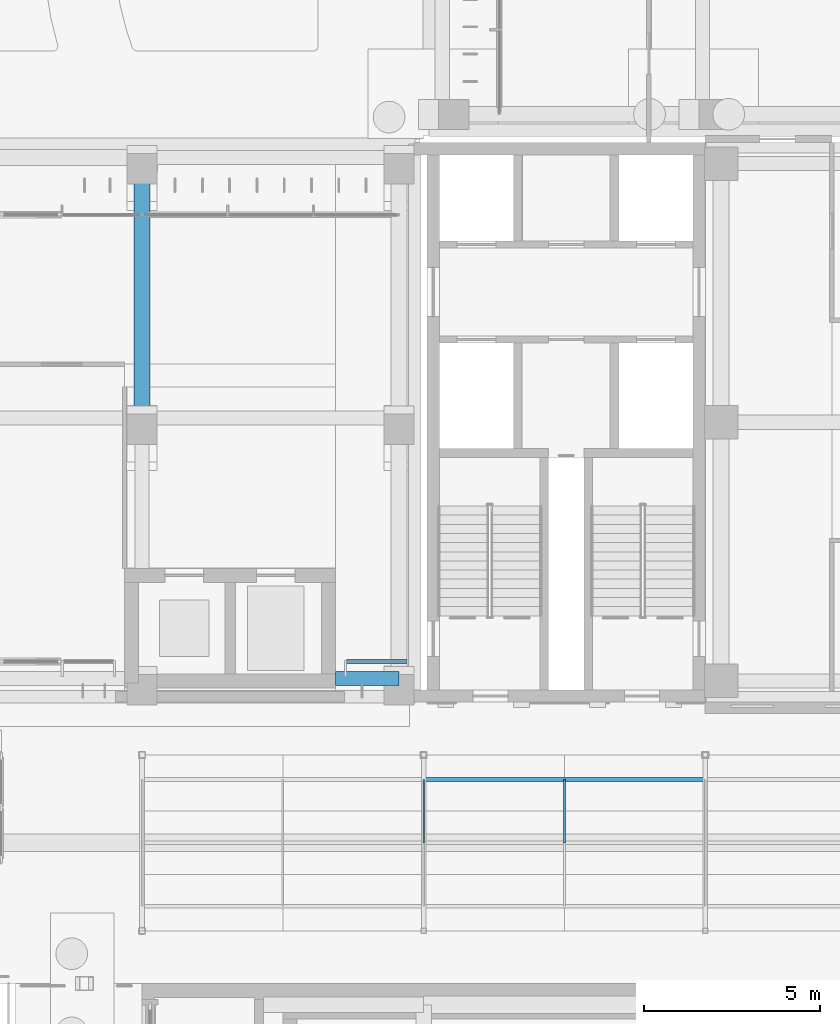
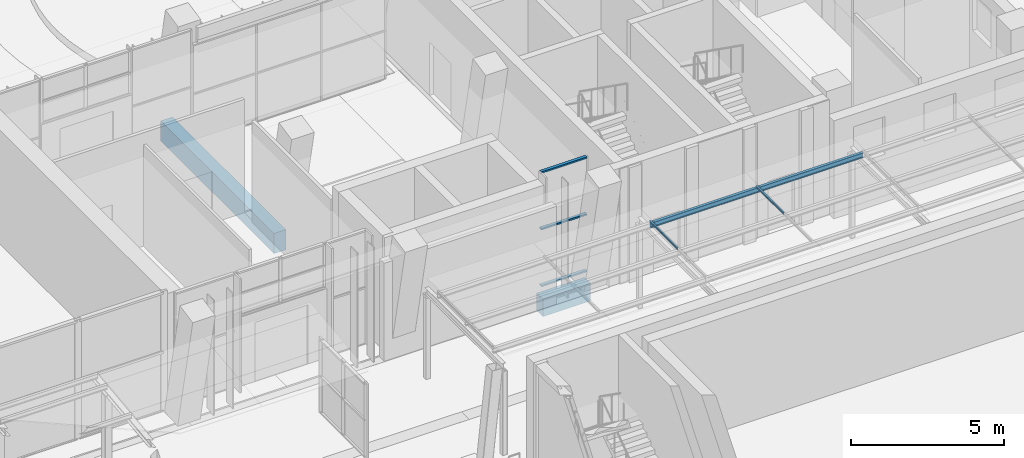
# One storey, part 41 of 144: 6 members, 2 beams, 1 element without a shape of its own.
"""IFC4 building model written with IfcOpenShell, lengths in metres."""

from ifc_helpers import new_model, si_unit, direction, frame, origin, origin_2d, place, context, subcontext, project, spatial, rectangle, i_section, extrude, material, material_profile, profile_set, type_object, element, aggregate, save


model = new_model("IFC4")

# Units and contexts
model_context = context("Model", 3, precision=1e-05, world=origin(), true_north=direction((0.0, 1.0)))
body_context = subcontext(model_context, "Body", "Model", "MODEL_VIEW")
ifc_project = project(units=[si_unit("LENGTHUNIT", "METRE"), si_unit("AREAUNIT", "SQUARE_METRE"), si_unit("VOLUMEUNIT", "CUBIC_METRE"), si_unit("PLANEANGLEUNIT", "RADIAN"), si_unit("MASSUNIT", "GRAM", prefix="KILO")], contexts=[model_context])

# Site, building, storey
site_placement = place(None, origin())
site = spatial("IfcSite", under=ifc_project, at=site_placement, CompositionType="ELEMENT")
building_placement = place(site_placement, origin())
building = spatial("IfcBuilding", under=site, at=building_placement, Name="Lantern Court Media Centre", CompositionType="ELEMENT")
storey_placement = place(building_placement, origin())
storey = spatial("IfcBuildingStorey", under=building, at=storey_placement, Name="L00", CompositionType="ELEMENT", Elevation=0.0)

# Members
ifc_material_1 = material(Name="Steel S355J2 (EN 10025-2)", Category="steel")
ifc_material_profile_1 = material_profile(ifc_material_1, i_section(OverallWidth=0.10009765625, OverallDepth=0.199951171875, WebThickness=0.005615234375, FlangeThickness=0.008544921875, FilletRadius=0.011962890625, at=origin_2d()), Name="IPE 200")
ifc_profile_set_1 = profile_set([ifc_material_profile_1], Name="Steel S355J2 (EN 10025-2)")
member_type_1 = type_object("IfcMemberType", Name="Cloister canopy purlin IPE 200", PredefinedType="PURLIN", material=ifc_profile_set_1)
member_1_placement = place(storey_placement, frame((80.0, 45.800048828125, 3.699951171875), z_axis=(1.0, 0.0, 0.0), x_axis=(0.0, 1.0, 0.0)))
element("IfcMember", 1, at=member_1_placement, inside=storey, type_object=member_type_1, Name="Cloister purlin 2-3-2", PredefinedType="PURLIN", context=body_context, shape_type="SweptSolid", body=[
    extrude(i_section(OverallWidth=0.10009765625, OverallDepth=0.199951171875, WebThickness=0.005615234375, FlangeThickness=0.008544921875, FilletRadius=0.011962890625, at=origin_2d()), origin(), (0.0, 0.0, 1.0), 8.0),
])
ifc_material_profile_2 = material_profile(ifc_material_1, i_section(OverallWidth=0.0458984375, OverallDepth=0.080078125, WebThickness=0.00390625, FlangeThickness=0.005126953125, FilletRadius=0.0048828125, at=origin_2d()), Name="IPE 80")
ifc_profile_set_2 = profile_set([ifc_material_profile_2], Name="Steel S355J2 (EN 10025-2)")
member_type_2 = type_object("IfcMemberType", Name="Cloister sheeting rail IPE 80", PredefinedType="STRUT", material=ifc_profile_set_2)
for number, where, z_axis, x_axis, name in (
    (2, (80.0, 44.0, 3.840087890625), (0.0, 1.0, 0.0), (-1.0, 0.0, 0.0), "Cloister sheeting rail 2-3-2"),
    (3, (84.0, 44.0, 3.840087890625), (0.0, 1.0, 0.0), (-1.0, 0.0, 0.0), "Cloister sheeting rail 2-4-2"),
):
    element("IfcMember", number, at=place(storey_placement, frame(where, z_axis=z_axis, x_axis=x_axis)), inside=storey, type_object=member_type_2, Name=name, PredefinedType="STRUT", context=body_context, shape_type="SweptSolid", body=[
        extrude(i_section(OverallWidth=0.0458984375, OverallDepth=0.080078125, WebThickness=0.00390625, FlangeThickness=0.005126953125, FilletRadius=0.0048828125, at=origin_2d()), origin(), (0.0, 0.0, 1.0), 1.800048828125),
    ])

# Curtain wall, members
ifc_material_2 = material(Name="Curtain wall bay 3000")
curtain_wall_type = type_object("IfcCurtainWallType", Name="Curtain wall bay 3000", PredefinedType="NOTDEFINED", material=ifc_material_2)
curtain_wall_placement = place(storey_placement, origin())
curtain_wall = element("IfcCurtainWall", 4, at=curtain_wall_placement, inside=storey, type_object=curtain_wall_type, Name="Curtain wall S outer L00", PredefinedType="NOTDEFINED")
ifc_material_3 = material(Name="Anodised aluminium", Category="aluminium")
ifc_material_profile_3 = material_profile(ifc_material_3, rectangle(XDim=0.1201171875, YDim=0.06005859375, at=origin_2d()), Name="AL 60x120")
ifc_profile_set_3 = profile_set([ifc_material_profile_3], Name="Anodised aluminium")
member_type_3 = type_object("IfcMemberType", Name="Curtain wall transom 60x120", PredefinedType="USERDEFINED", material=ifc_profile_set_3)
member_2_placement = place(storey_placement, frame((77.81005859375, 49.14990234375, 0.030029296875), z_axis=(1.0, 0.0, 0.0), x_axis=(0.0, 1.0, 0.0)))
member_2 = element("IfcMember", 5, at=member_2_placement, type_object=member_type_3, Name="CW1 transom 1.1", ObjectType="TRANSOM", PredefinedType="USERDEFINED", context=body_context, shape_type="SweptSolid", body=[
    extrude(rectangle(XDim=0.1201171875, YDim=0.06005859375, at=origin_2d()), origin(), (0.0, 0.0, 1.0), 1.7099609375),
])
member_3_placement = place(storey_placement, frame((77.81005859375, 49.14990234375, 2.2900390625), z_axis=(1.0, 0.0, 0.0), x_axis=(0.0, 1.0, 0.0)))
member_3 = element("IfcMember", 6, at=member_3_placement, type_object=member_type_3, Name="CW1 transom 1.2", ObjectType="TRANSOM", PredefinedType="USERDEFINED", context=body_context, shape_type="SweptSolid", body=[
    extrude(rectangle(XDim=0.1201171875, YDim=0.06005859375, at=origin_2d()), origin(), (0.0, 0.0, 1.0), 1.7099609375),
])
member_4_placement = place(storey_placement, frame((77.81005859375, 49.14990234375, 4.550048828125), z_axis=(1.0, 0.0, 0.0), x_axis=(0.0, 1.0, 0.0)))
member_4 = element("IfcMember", 7, at=member_4_placement, type_object=member_type_3, Name="CW1 transom 1.3", ObjectType="TRANSOM", PredefinedType="USERDEFINED", context=body_context, shape_type="SweptSolid", body=[
    extrude(rectangle(XDim=0.1201171875, YDim=0.06005859375, at=origin_2d()), origin(), (0.0, 0.0, 1.0), 1.7099609375),
])
aggregate(curtain_wall, [member_2, member_3, member_4])

# Beams
ifc_material_4 = material(Name="Concrete C35", Category="concrete")
ifc_material_profile_4 = material_profile(ifc_material_4, rectangle(XDim=0.39990234375, YDim=0.699951171875, at=origin_2d()), Name="RC 400x700")
ifc_profile_set_4 = profile_set([ifc_material_profile_4], Name="Concrete C35")
beam_type_1 = type_object("IfcBeamType", Name="RC BEAM 400x700", PredefinedType="BEAM", material=ifc_profile_set_4)
beam_1_placement = place(storey_placement, frame((77.5, 48.6728515625, -0.35009765625), z_axis=(1.0, 0.0, 0.0), x_axis=(0.0, 1.0, 0.0)))
element("IfcBeam", 8, at=beam_1_placement, inside=storey, type_object=beam_type_1, Name="LB-S-L00-0-6", PredefinedType="BEAM", context=body_context, shape_type="SweptSolid", body=[
    extrude(rectangle(XDim=0.39990234375, YDim=0.699951171875, at=origin_2d()), origin(), (0.0, 0.0, 1.0), 1.800048828125),
])
ifc_material_profile_5 = material_profile(ifc_material_4, rectangle(XDim=0.449951171875, YDim=0.800048828125, at=origin_2d()), Name="RC 450x800")
ifc_profile_set_5 = profile_set([ifc_material_profile_5], Name="Concrete C35")
beam_type_2 = type_object("IfcBeamType", Name="RC BEAM 450x800", PredefinedType="BEAM", material=ifc_profile_set_5)
beam_2_placement = place(storey_placement, frame((72.0, 56.083251953125, -0.39990234375), z_axis=(0.0, 1.0, 0.0), x_axis=(-1.0, 0.0, 0.0)))
element("IfcBeam", 9, at=beam_2_placement, inside=storey, type_object=beam_type_2, Name="TB-S-L00-6-2", PredefinedType="BEAM", context=body_context, shape_type="SweptSolid", body=[
    extrude(rectangle(XDim=0.449951171875, YDim=0.800048828125, at=origin_2d()), origin(), (0.0, 0.0, 1.0), 7.400146484375),
])

save(model, "model.ifc")
